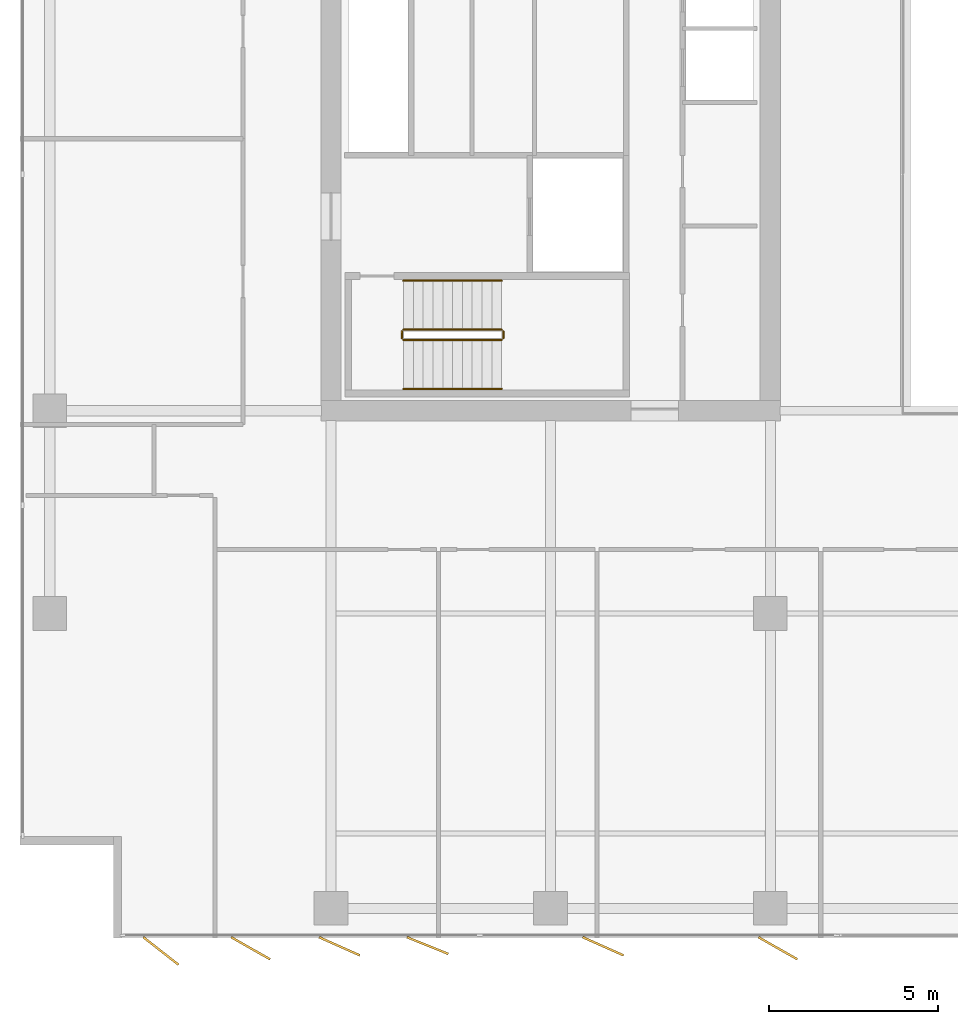
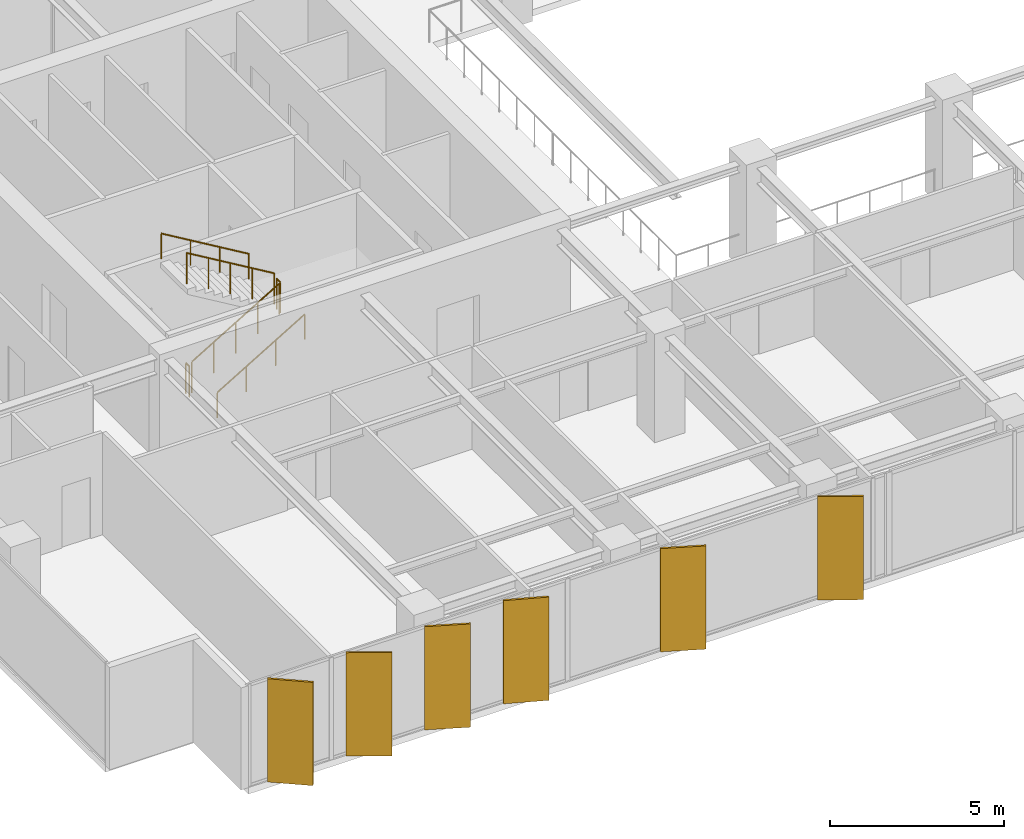
# One storey, part 19 of 22: 6 railings, 6 shading devices.
"""IFC4 building model written with IfcOpenShell, lengths in metres."""

import ifcopenshell
import ifcopenshell.guid

model = None  # the IFC model being written
_history = None  # IfcOwnerHistory: only IFC2X3 demands one
_inside = {}  # id of a spatial element -> (the spatial element, [elements in it])
_under = {}  # id of a project, library or spatial element -> (it, [spatial elements below it])
_declared = {}  # id of a project -> (the project, [libraries it declares])
_typed = {}  # id of a type object -> (the type object, [elements of that type])
_made_of = {}  # id of a material, layer set ... -> (it, [elements and type objects made of it])


def new_model(schema):
    """Start an empty IFC model of exactly this schema.

    Asked for "IFC4X3", IfcOpenShell would pick the latest addendum, in which some entities
    have other attributes; the version numbers below select the first issue.
    IFC2X3 requires an IfcOwnerHistory on every rooted entity: one is made here for all.
    """
    global model, _history
    if schema == "IFC4X3":
        model = ifcopenshell.file(schema_version=(4, 3, 0, 0))
    else:
        model = ifcopenshell.file(schema=schema)
    _inside.clear()
    _under.clear()
    _declared.clear()
    _typed.clear()
    _made_of.clear()
    _history = None
    if model.schema == "IFC2X3":
        org = make("IfcOrganization", Name="unknown")
        user = make(
            "IfcPersonAndOrganization",
            ThePerson=make("IfcPerson", FamilyName="unknown"),
            TheOrganization=org,
        )
        app = make(
            "IfcApplication",
            ApplicationDeveloper=org,
            Version="unknown",
            ApplicationFullName="unknown",
            ApplicationIdentifier="unknown",
        )
        _history = make(
            "IfcOwnerHistory",
            OwningUser=user,
            OwningApplication=app,
            ChangeAction="ADDED",
            CreationDate=0,
        )
    return model


def make(cls, **values):
    """One entity of the class cls with the attributes given. An attribute that is None is left unset."""
    return model.create_entity(
        cls, **{name: value for name, value in values.items() if value is not None}
    )


def rooted(cls, **values):
    """An entity with a GlobalId (a new one), such as an element, a storey or a relation."""
    return make(cls, GlobalId=ifcopenshell.guid.new(), OwnerHistory=_history, **values)


def si_unit(unit_type, name, prefix=None):
    """IfcSIUnit, for example si_unit("LENGTHUNIT", "METRE", prefix="MILLI")."""
    return make("IfcSIUnit", UnitType=unit_type, Prefix=prefix, Name=name)


def assignment(units):
    """IfcUnitAssignment: the units of a project."""
    return None if units is None else make("IfcUnitAssignment", Units=units)


def point(xyz):
    """IfcCartesianPoint."""
    return None if xyz is None else make("IfcCartesianPoint", Coordinates=xyz)


def direction(xyz):
    """IfcDirection."""
    return None if xyz is None else make("IfcDirection", DirectionRatios=xyz)


def frame(location, z_axis=None, x_axis=None):
    """IfcAxis2Placement3D, a coordinate frame: its origin and axes. An axis left out is left unset."""
    return make(
        "IfcAxis2Placement3D",
        Location=point(location),
        Axis=direction(z_axis),
        RefDirection=direction(x_axis),
    )


def frame_2d(location, x_axis=None):
    """IfcAxis2Placement2D, a coordinate frame in the plane: its origin and x axis."""
    return make(
        "IfcAxis2Placement2D", Location=point(location), RefDirection=direction(x_axis)
    )


def origin():
    """The frame at (0, 0, 0) with its axes left unset."""
    return frame((0.0, 0.0, 0.0))


def origin_2d():
    """The frame at (0, 0) in the plane with its x axis left unset."""
    return frame_2d((0.0, 0.0))


def place(relative_to, where):
    """IfcLocalPlacement: puts the frame where relative to a parent placement (None: the world)."""
    return make(
        "IfcLocalPlacement", PlacementRelTo=relative_to, RelativePlacement=where
    )


def context(
    kind, dimensions, precision=None, world=None, true_north=None, identifier=None
):
    """IfcGeometricRepresentationContext, for example the 3D "Model" context."""
    return make(
        "IfcGeometricRepresentationContext",
        ContextIdentifier=identifier,
        ContextType=kind,
        CoordinateSpaceDimension=dimensions,
        Precision=precision,
        WorldCoordinateSystem=world,
        TrueNorth=true_north,
    )


def subcontext(parent, identifier, kind, view, scale=None):
    """IfcGeometricRepresentationSubContext, for example "Body" below "Model"."""
    return make(
        "IfcGeometricRepresentationSubContext",
        ContextIdentifier=identifier,
        ContextType=kind,
        ParentContext=parent,
        TargetScale=scale,
        TargetView=view,
    )


def project(units=None, contexts=None):
    """IfcProject with its units and contexts."""
    return rooted(
        "IfcProject",
        Name="project",
        RepresentationContexts=contexts,
        UnitsInContext=assignment(units),
    )


def spatial(cls, under=None, at=None, **own):
    """A site, building, storey or space (cls), placed at a placement, below another one or the project."""
    s = rooted(cls, ObjectPlacement=at, **own)
    if under is not None:
        _under.setdefault(under.id(), (under, []))[1].append(s)
    return s


def profile(cls, at=None, kind="AREA", **sizes):
    """A parametric profile (cls). Its sizes go by their IFC names, for example OverallWidth=200.0."""
    return make(cls, ProfileType=kind, Position=at, **sizes)


def rectangle(**sizes):
    """IfcRectangleProfileDef."""
    return profile("IfcRectangleProfileDef", **sizes)


def circle(**sizes):
    """IfcCircleProfileDef."""
    return profile("IfcCircleProfileDef", **sizes)


def extrude(swept, where, along, depth):
    """IfcExtrudedAreaSolid: the profile swept, set in the frame where, extruded along a direction by depth."""
    return make(
        "IfcExtrudedAreaSolid",
        SweptArea=swept,
        Position=where,
        ExtrudedDirection=direction(along),
        Depth=depth,
    )


def shape(context_of_items, identifier, shape_type, items):
    """IfcShapeRepresentation: the items that make up one representation, for example the "Body"."""
    return make(
        "IfcShapeRepresentation",
        ContextOfItems=context_of_items,
        RepresentationIdentifier=identifier,
        RepresentationType=shape_type,
        Items=items,
    )


def material(Name=None, Category=None):
    """IfcMaterial."""
    return make("IfcMaterial", Name=Name, Category=Category)


def layer(
    of_material, thickness, ventilated=None, Name=None, Category=None, Priority=None
):
    """IfcMaterialLayer: one layer of a wall or slab, of a material (None: an air gap)."""
    return make(
        "IfcMaterialLayer",
        Material=of_material,
        LayerThickness=thickness,
        IsVentilated=ventilated,
        Name=Name,
        Category=Category,
        Priority=Priority,
    )


def layer_set(layers, Name=None):
    """IfcMaterialLayerSet."""
    return make("IfcMaterialLayerSet", MaterialLayers=layers, LayerSetName=Name)


def made_of(thing, what):
    """Note that an element or type object is made of a material, layer set ...; save() writes the relation."""
    if what is not None:
        _made_of.setdefault(what.id(), (what, []))[1].append(thing)
    return thing


def type_object(cls, material=None, **own):
    """A type object (cls), such as IfcWallType, which elements share."""
    return made_of(rooted(cls, **own), material)


def element(
    cls,
    number,
    at=None,
    inside=None,
    cuts=None,
    type_object=None,
    material=None,
    context=None,
    identifier="Body",
    shape_type=None,
    held_by="IfcProductDefinitionShape",
    body=None,
    shapes=None,
    **own,
):
    """One element of the class cls, such as IfcWall. Its Tag is "e" and its number.

    at: its placement. inside: the storey or other place that contains it. cuts: it is an
    opening in that element (IfcRelVoidsElement). A single representation is given by context,
    identifier, shape_type and body (its items); several are given by shapes. held_by: the class
    of the entity that holds the representations. save() writes the other relations.
    """
    e = rooted(cls, Tag="e%d" % number, ObjectPlacement=at, **own)
    if body is not None:
        shapes = [shape(context, identifier, shape_type, body)]
    if shapes is not None:
        e.Representation = make(held_by, Representations=shapes)
    if inside is not None:
        _inside.setdefault(inside.id(), (inside, []))[1].append(e)
    if cuts is not None:
        rooted(
            "IfcRelVoidsElement", RelatingBuildingElement=cuts, RelatedOpeningElement=e
        )
    if type_object is not None:
        _typed.setdefault(type_object.id(), (type_object, []))[1].append(e)
    return made_of(e, material)


def aggregate(whole, parts):
    """IfcRelAggregates: a whole, such as a stair, and the parts it consists of."""
    return rooted("IfcRelAggregates", RelatingObject=whole, RelatedObjects=parts)


def save(model, path):
    """Write the relations noted so far, then the file.

    IfcRelAggregates (storeys below a building ...), IfcRelContainedInSpatialStructure (elements
    in a storey), IfcRelDefinesByType, IfcRelAssociatesMaterial and IfcRelDeclares: one each for
    every whole, place, type object, material and project.
    """
    for whole, parts in _under.values():
        aggregate(whole, parts)
    for where, things in _inside.values():
        rooted(
            "IfcRelContainedInSpatialStructure",
            RelatedElements=things,
            RelatingStructure=where,
        )
    for kind, things in _typed.values():
        rooted("IfcRelDefinesByType", RelatedObjects=things, RelatingType=kind)
    for what, things in _made_of.values():
        rooted("IfcRelAssociatesMaterial", RelatedObjects=things, RelatingMaterial=what)
    for by, libraries in _declared.values():
        rooted("IfcRelDeclares", RelatingContext=by, RelatedDefinitions=libraries)
    model.write(path)


model = new_model("IFC4")

# Units and contexts
model_context = context("Model", 3, precision=1e-05, world=origin(), true_north=direction((0.0, 1.0)))
body_context = subcontext(model_context, "Body", "Model", "MODEL_VIEW")
ifc_project = project(units=[si_unit("LENGTHUNIT", "METRE"), si_unit("AREAUNIT", "SQUARE_METRE"), si_unit("VOLUMEUNIT", "CUBIC_METRE"), si_unit("PLANEANGLEUNIT", "RADIAN"), si_unit("MASSUNIT", "GRAM", prefix="KILO")], contexts=[model_context])

# Site, building, storey
site_placement = place(None, origin())
site = spatial("IfcSite", under=ifc_project, at=site_placement, CompositionType="ELEMENT")
building_placement = place(site_placement, origin())
building = spatial("IfcBuilding", under=site, at=building_placement, Name="Putna Gate Headquarters", CompositionType="ELEMENT")
storey_placement = place(building_placement, frame((0.0, 0.0, 178.39990234375)))
storey = spatial("IfcBuildingStorey", under=building, at=storey_placement, Name="L44", CompositionType="ELEMENT", Elevation=178.39990234375)

# Railings
ifc_material_1 = material(Name="Powder-coated steel stair guardrail", Category="steel")
railing_type_1 = type_object("IfcRailingType", Name="RAIL-STAIR-GUARD-1100", PredefinedType="GUARDRAIL", material=ifc_material_1)
railing_1_placement = place(storey_placement, frame((15.14990234375, 21.10009765625, 0.1728515625)))
element("IfcRailing", 1, at=railing_1_placement, inside=storey, type_object=railing_type_1, Name="L44 ST1 stair guard 1", PredefinedType="GUARDRAIL", context=body_context, shape_type="SweptSolid", body=[
    extrude(circle(Radius=0.02392578125, at=origin_2d()), frame((0.0, 0.0, 1.076171875), z_axis=(0.859160404282, 0.0, 0.51170636083), x_axis=(0.0, 1.0, 0.0)), (0.0, 0.0, 1.0), 3.37548828125),
    extrude(circle(Radius=0.02099609375, at=origin_2d()), origin(), (0.0, 0.0, 1.0), 1.052001953125),
    extrude(circle(Radius=0.02099609375, at=origin_2d()), frame((0.72509765625, 0.0, 0.431884765625)), (0.0, 0.0, 1.0), 1.052001953125),
    extrude(circle(Radius=0.02099609375, at=origin_2d()), frame((1.4501953125, 0.0, 0.86376953125)), (0.0, 0.0, 1.0), 1.052001953125),
    extrude(circle(Radius=0.02099609375, at=origin_2d()), frame((2.175048828125, 0.0, 1.29541015625)), (0.0, 0.0, 1.0), 1.052001953125),
    extrude(circle(Radius=0.02099609375, at=origin_2d()), frame((2.900146484375, 0.0, 1.727294921875)), (0.0, 0.0, 1.0), 1.052001953125),
])
railing_2_placement = place(storey_placement, frame((18.10009765625, 21.14990234375, 1.900146484375)))
element("IfcRailing", 2, at=railing_2_placement, inside=storey, type_object=railing_type_1, Name="L44 ST1 stair guard 2", PredefinedType="GUARDRAIL", context=body_context, shape_type="SweptSolid", body=[
    extrude(circle(Radius=0.02392578125, at=origin_2d()), frame((0.0, 0.0, 1.076171875), z_axis=(0.0, 1.0, 0.0), x_axis=(-1.0, 0.0, 0.0)), (0.0, 0.0, 1.0), 0.2001953125),
    extrude(circle(Radius=0.02099609375, at=origin_2d()), origin(), (0.0, 0.0, 1.0), 1.052001953125),
    extrude(circle(Radius=0.02099609375, at=origin_2d()), frame((0.0, 0.2001953125, 0.0)), (0.0, 0.0, 1.0), 1.052001953125),
])
railing_3_placement = place(storey_placement, frame((18.050048828125, 21.39990234375, 2.07275390625)))
element("IfcRailing", 3, at=railing_3_placement, inside=storey, type_object=railing_type_1, Name="L44 ST1 stair guard 3", PredefinedType="GUARDRAIL", context=body_context, shape_type="SweptSolid", body=[
    extrude(circle(Radius=0.02392578125, at=origin_2d()), frame((0.0, 0.0, 1.076171875), z_axis=(-0.859160404282, 0.0, 0.51170636083), x_axis=(0.0, -1.0, 0.0)), (0.0, 0.0, 1.0), 3.37548828125),
    extrude(circle(Radius=0.02099609375, at=origin_2d()), origin(), (0.0, 0.0, 1.0), 1.052001953125),
    extrude(circle(Radius=0.02099609375, at=origin_2d()), frame((-0.72509765625, 0.0, 0.431884765625)), (0.0, 0.0, 1.0), 1.052001953125),
    extrude(circle(Radius=0.02099609375, at=origin_2d()), frame((-1.4501953125, 0.0, 0.86376953125)), (0.0, 0.0, 1.0), 1.052001953125),
    extrude(circle(Radius=0.02099609375, at=origin_2d()), frame((-2.175048828125, 0.0, 1.29541015625)), (0.0, 0.0, 1.0), 1.052001953125),
    extrude(circle(Radius=0.02099609375, at=origin_2d()), frame((-2.900146484375, 0.0, 1.727294921875)), (0.0, 0.0, 1.0), 1.052001953125),
])
railing_4_placement = place(storey_placement, frame((15.10009765625, 21.14990234375, 0.0)))
element("IfcRailing", 4, at=railing_4_placement, inside=storey, type_object=railing_type_1, Name="L44 ST1 stair guard 4", PredefinedType="GUARDRAIL", context=body_context, shape_type="SweptSolid", body=[
    extrude(circle(Radius=0.02392578125, at=origin_2d()), frame((0.0, 0.0, 1.076171875), z_axis=(0.0, 1.0, 0.0), x_axis=(-1.0, 0.0, 0.0)), (0.0, 0.0, 1.0), 0.2001953125),
    extrude(circle(Radius=0.02099609375, at=origin_2d()), origin(), (0.0, 0.0, 1.0), 1.052001953125),
    extrude(circle(Radius=0.02099609375, at=origin_2d()), frame((0.0, 0.2001953125, 0.0)), (0.0, 0.0, 1.0), 1.052001953125),
])
ifc_material_2 = material(Name="Brushed stainless steel handrail", Category="steel")
railing_type_2 = type_object("IfcRailingType", Name="RAIL-STAIR-HAND-900", PredefinedType="HANDRAIL", material=ifc_material_2)
railing_5_placement = place(storey_placement, frame((15.14990234375, 19.64990234375, 0.1728515625)))
element("IfcRailing", 5, at=railing_5_placement, inside=storey, type_object=railing_type_2, Name="L44 ST1 stair handrail 1", PredefinedType="HANDRAIL", context=body_context, shape_type="SweptSolid", body=[
    extrude(circle(Radius=0.02392578125, at=origin_2d()), frame((0.0, 0.0, 0.8759765625), z_axis=(0.859160404282, 0.0, 0.51170636083), x_axis=(0.0, 1.0, 0.0)), (0.0, 0.0, 1.0), 3.37548828125),
    extrude(circle(Radius=0.02099609375, at=origin_2d()), origin(), (0.0, 0.0, 1.0), 0.851806640625),
    extrude(circle(Radius=0.02099609375, at=origin_2d()), frame((0.966796875, 0.0, 0.57568359375)), (0.0, 0.0, 1.0), 0.851806640625),
    extrude(circle(Radius=0.02099609375, at=origin_2d()), frame((1.933349609375, 0.0, 1.151611328125)), (0.0, 0.0, 1.0), 0.851806640625),
    extrude(circle(Radius=0.02099609375, at=origin_2d()), frame((2.900146484375, 0.0, 1.727294921875)), (0.0, 0.0, 1.0), 0.851806640625),
])
railing_6_placement = place(storey_placement, frame((18.050048828125, 22.85009765625, 2.07275390625)))
element("IfcRailing", 6, at=railing_6_placement, inside=storey, type_object=railing_type_2, Name="L44 ST1 stair handrail 2", PredefinedType="HANDRAIL", context=body_context, shape_type="SweptSolid", body=[
    extrude(circle(Radius=0.02392578125, at=origin_2d()), frame((0.0, 0.0, 0.8759765625), z_axis=(-0.859160404282, 0.0, 0.51170636083), x_axis=(0.0, -1.0, 0.0)), (0.0, 0.0, 1.0), 3.37548828125),
    extrude(circle(Radius=0.02099609375, at=origin_2d()), origin(), (0.0, 0.0, 1.0), 0.851806640625),
    extrude(circle(Radius=0.02099609375, at=origin_2d()), frame((-0.966796875, 0.0, 0.57568359375)), (0.0, 0.0, 1.0), 0.851806640625),
    extrude(circle(Radius=0.02099609375, at=origin_2d()), frame((-1.933349609375, 0.0, 1.151611328125)), (0.0, 0.0, 1.0), 0.851806640625),
    extrude(circle(Radius=0.02099609375, at=origin_2d()), frame((-2.900146484375, 0.0, 1.727294921875)), (0.0, 0.0, 1.0), 0.851806640625),
])

# Shading devices
ifc_material_3 = material(Name="Anodised architectural bronze aluminium fin", Category="aluminium")
ifc_layer = layer(ifc_material_3, 0.06494140625)
ifc_layer_set = layer_set([ifc_layer], Name="Anodised architectural bronze aluminium fin")
shading_device_type = type_object("IfcShadingDeviceType", Name="SHADE-BRONZE-FIN-1320", PredefinedType="USERDEFINED", material=ifc_layer_set)
for number, where, z_axis, x_axis, name in (
    (7, (7.9697265625, 3.018310546875, -0.02001953125), (0.0, 0.0, 1.0), (0.787473187632, -0.616348909921, 0.0), "L44 Bronze Vertical Shading Fin S1"),
    (8, (10.623779296875, 3.098876953125, -0.02001953125), (0.0, 0.0, 1.0), (0.869322458298, -0.494245347472, 0.0), "L44 Bronze Vertical Shading Fin S2"),
    (9, (13.2529296875, 3.15673828125, -0.02001953125), (0.0, 0.0, 1.0), (0.913687379856, -0.40641773078, 0.0), "L44 Bronze Vertical Shading Fin S3"),
    (10, (15.86181640625, 3.177734375, -0.02001953125), (0.0, 0.0, 1.0), (0.927183854567, -0.374606593416, 0.0), "L44 Bronze Vertical Shading Fin S4"),
    (11, (21.052978515625, 3.15673828125, -0.02001953125), (0.0, 0.0, 1.0), (0.913687379856, -0.40641773078, 0.0), "L44 Bronze Vertical Shading Fin S5"),
    (12, (26.223876953125, 3.098876953125, -0.02001953125), (0.0, 0.0, 1.0), (0.869322458298, -0.494245347472, 0.0), "L44 Bronze Vertical Shading Fin S6"),
):
    element("IfcShadingDevice", number, at=place(storey_placement, frame(where, z_axis=z_axis, x_axis=x_axis)), inside=storey, type_object=shading_device_type, Name=name, ObjectType="FIN", PredefinedType="USERDEFINED", context=body_context, shape_type="SweptSolid", body=[
        extrude(rectangle(XDim=1.320068359375, YDim=0.06494140625, at=origin_2d()), origin(), (0.0, 0.0, 1.0), 3.612060546875),
    ])

save(model, "model.ifc")
